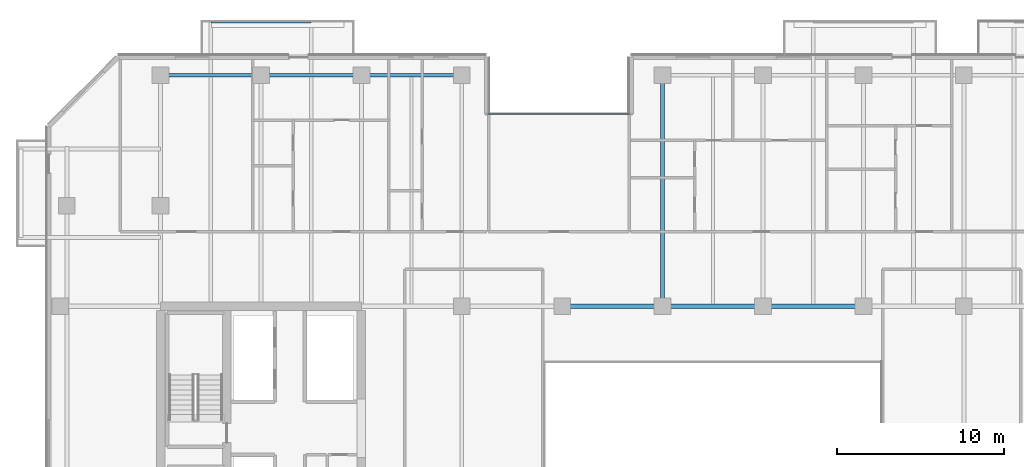
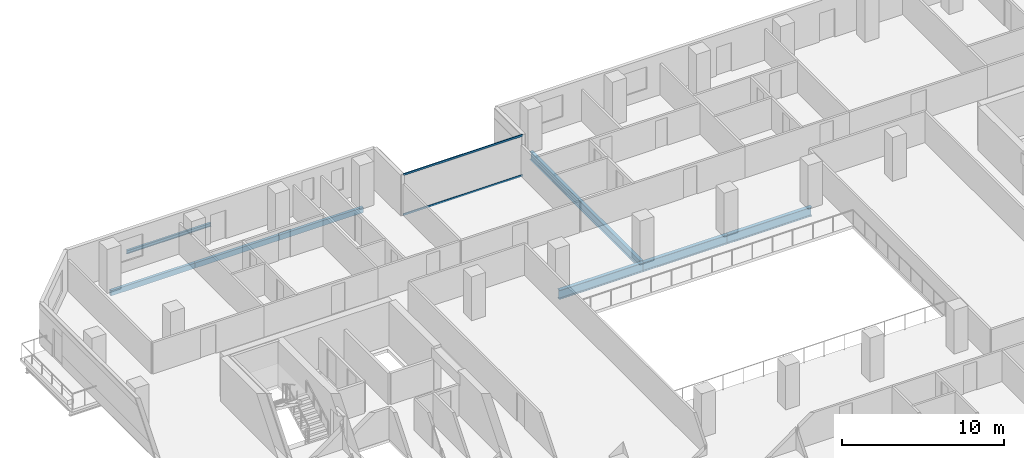
# One storey, part 7 of 23: 8 beams, 2 members, 1 element without a shape of its own.
"""IFC4 building model written with IfcOpenShell, lengths in metres."""

from ifc_helpers import new_model, si_unit, direction, frame, origin, origin_2d, place, context, subcontext, project, spatial, hollow_rectangle, i_section, extrude, material, layer, layer_set, material_profile, profile_set, type_object, element, aggregate, save


model = new_model("IFC4")

# Units and contexts
model_context = context("Model", 3, precision=1e-05, world=origin(), true_north=direction((0.0, 1.0)))
body_context = subcontext(model_context, "Body", "Model", "MODEL_VIEW")
ifc_project = project(units=[si_unit("LENGTHUNIT", "METRE"), si_unit("AREAUNIT", "SQUARE_METRE"), si_unit("VOLUMEUNIT", "CUBIC_METRE"), si_unit("PLANEANGLEUNIT", "RADIAN"), si_unit("MASSUNIT", "GRAM", prefix="KILO")], contexts=[model_context])

# Site, building, storey
site_placement = place(None, origin())
site = spatial("IfcSite", under=ifc_project, at=site_placement, CompositionType="ELEMENT")
building_placement = place(site_placement, origin())
building = spatial("IfcBuilding", under=site, at=building_placement, Name="Tanjung Sevakor Pilgrim Tower", CompositionType="ELEMENT")
storey_placement = place(building_placement, frame((0.0, 0.0, 82.169921875)))
storey = spatial("IfcBuildingStorey", under=building, at=storey_placement, Name="L22", CompositionType="ELEMENT", Elevation=82.169921875)

# Beams
ifc_material_1 = material(Name="Steel S355J2", Category="steel")
ifc_material_profile_1 = material_profile(ifc_material_1, i_section(OverallWidth=0.25439453125, OverallDepth=0.6875, WebThickness=0.01318359375, FlangeThickness=0.02099609375, FilletRadius=0.01513671875, at=origin_2d()))
ifc_profile_set_1 = profile_set([ifc_material_profile_1], Name="Steel S355J2")
beam_type_1 = type_object("IfcBeamType", Name="BM-B-G2-UB_686x254x152", PredefinedType="BEAM", material=ifc_profile_set_1)
for number, where, z_axis, x_axis, name in (
    (1, (48.0, 42.60009765625, -0.563720703125), (1.0, 0.0, 0.0), (0.0, 1.0, 0.0), "L22 Primary Floor Girder MAIN Y426-04"),
    (2, (54.0, 42.60009765625, -0.563720703125), (1.0, 0.0, 0.0), (0.0, 1.0, 0.0), "L22 Primary Floor Girder MAIN Y426-05"),
    (3, (60.0, 42.60009765625, -0.563720703125), (1.0, 0.0, 0.0), (0.0, 1.0, 0.0), "L22 Primary Floor Girder MAIN Y426-06"),
):
    element("IfcBeam", number, at=place(storey_placement, frame(where, z_axis=z_axis, x_axis=x_axis)), inside=storey, type_object=beam_type_1, Name=name, PredefinedType="BEAM", context=body_context, shape_type="SweptSolid", body=[
        extrude(i_section(OverallWidth=0.25439453125, OverallDepth=0.6875, WebThickness=0.01318359375, FlangeThickness=0.02099609375, FilletRadius=0.01513671875, at=origin_2d()), origin(), (0.0, 0.0, 1.0), 6.0),
    ])
ifc_material_2 = material(Name="Steel S355J2", Category="steel")
ifc_material_profile_2 = material_profile(ifc_material_2, i_section(OverallWidth=0.230224609375, OverallDepth=0.6171875, WebThickness=0.01318359375, FlangeThickness=0.022216796875, FilletRadius=0.0126953125, at=origin_2d()))
ifc_profile_set_2 = profile_set([ifc_material_profile_2], Name="Steel S355J2")
beam_type_2 = type_object("IfcBeamType", Name="BM-B-G3-UB_610x229x140", PredefinedType="BEAM", material=ifc_profile_set_2)
beam_1_placement = place(storey_placement, frame((54.0, 42.60009765625, -0.528564453125), z_axis=(0.0, 1.0, 0.0), x_axis=(-1.0, 0.0, 0.0)))
element("IfcBeam", 4, at=beam_1_placement, inside=storey, type_object=beam_type_2, Name="L22 MAIN Girder 013", PredefinedType="BEAM", context=body_context, shape_type="SweptSolid", body=[
    extrude(i_section(OverallWidth=0.230224609375, OverallDepth=0.6171875, WebThickness=0.01318359375, FlangeThickness=0.022216796875, FilletRadius=0.0126953125, at=origin_2d()), origin(), (0.0, 0.0, 1.0), 13.7998046875),
])
ifc_material_3 = material(Name="Steel S355J2", Category="steel")
ifc_material_profile_3 = material_profile(ifc_material_3, i_section(OverallWidth=0.146484375, OverallDepth=0.256103515625, WebThickness=0.00634765625, FlangeThickness=0.010986328125, FilletRadius=0.007568359375, at=origin_2d()))
ifc_profile_set_3 = profile_set([ifc_material_profile_3], Name="Steel S355J2")
beam_type_3 = type_object("IfcBeamType", Name="BM-B-J6-UB_254x146x37", PredefinedType="JOIST", material=ifc_profile_set_3)
beam_2_placement = place(storey_placement, frame((27.0, 59.580078125, -0.327880859375), z_axis=(1.0, 0.0, 0.0), x_axis=(0.0, 1.0, 0.0)))
element("IfcBeam", 5, at=beam_2_placement, inside=storey, type_object=beam_type_3, Name="L22 Balcony Rim Tie MAIN-N1", PredefinedType="JOIST", context=body_context, shape_type="SweptSolid", body=[
    extrude(i_section(OverallWidth=0.146484375, OverallDepth=0.256103515625, WebThickness=0.00634765625, FlangeThickness=0.010986328125, FilletRadius=0.007568359375, at=origin_2d()), origin(), (0.0, 0.0, 1.0), 6.0),
])
ifc_material_4 = material(Name="Steel S355J2", Category="steel")
ifc_material_profile_4 = material_profile(ifc_material_4, hollow_rectangle(XDim=0.199951171875, YDim=0.39990234375, WallThickness=0.01611328125, at=origin_2d()))
ifc_profile_set_4 = profile_set([ifc_material_profile_4], Name="Steel S355J2")
beam_type_4 = type_object("IfcBeamType", Name="BM-B-SP2-RHS_400x200x16", PredefinedType="SPANDREL", material=ifc_profile_set_4)
for number, where, z_axis, x_axis, name in (
    (6, (24.0, 56.39990234375, -0.419921875), (1.0, 0.0, 0.0), (0.0, 1.0, 0.0), "L22 Spandrel MAIN N-02"),
    (7, (30.0, 56.39990234375, -0.419921875), (1.0, 0.0, 0.0), (0.0, 1.0, 0.0), "L22 Spandrel MAIN N-04"),
    (8, (36.0, 56.39990234375, -0.419921875), (1.0, 0.0, 0.0), (0.0, 1.0, 0.0), "L22 Spandrel MAIN N-06"),
):
    element("IfcBeam", number, at=place(storey_placement, frame(where, z_axis=z_axis, x_axis=x_axis)), inside=storey, type_object=beam_type_4, Name=name, PredefinedType="SPANDREL", context=body_context, shape_type="SweptSolid", body=[
        extrude(hollow_rectangle(XDim=0.199951171875, YDim=0.39990234375, WallThickness=0.01611328125, at=origin_2d()), origin(), (0.0, 0.0, 1.0), 6.0),
    ])

# Curtain wall, members
ifc_material_5 = material(Name="Aluminium 6063-T6 and Low-E Glass", Category="aluminium")
ifc_layer = layer(ifc_material_5, 0.179931640625)
ifc_layer_set = layer_set([ifc_layer], Name="CW-SYS-CLEFT")
curtain_wall_type = type_object("IfcCurtainWallType", Name="CW-SYS-CLEFT", PredefinedType="NOTDEFINED", material=ifc_layer_set)
curtain_wall_placement = place(storey_placement, origin())
curtain_wall = element("IfcCurtainWall", 9, at=curtain_wall_placement, inside=storey, type_object=curtain_wall_type, Name="L22 Curtain Wall CW-CLF-L22-10", PredefinedType="NOTDEFINED")
ifc_material_6 = material(Name="Aluminium 6063-T6", Category="aluminium")
ifc_material_profile_5 = material_profile(ifc_material_6, hollow_rectangle(XDim=0.06494140625, YDim=0.139892578125, WallThickness=0.00390625, at=origin_2d()))
ifc_profile_set_5 = profile_set([ifc_material_profile_5], Name="Aluminium 6063-T6")
member_type = type_object("IfcMemberType", Name="TYPE-CWT-1", PredefinedType="USERDEFINED", material=ifc_profile_set_5)
member_1_placement = place(storey_placement, frame((52.050048828125, 54.074951171875, 0.032470703125), z_axis=(-1.0, 0.0, 0.0), x_axis=(0.0, -1.0, 0.0)))
member_1 = element("IfcMember", 10, at=member_1_placement, type_object=member_type, Name="CW-CLF transom 1.1", ObjectType="TRANSOM", PredefinedType="USERDEFINED", context=body_context, shape_type="SweptSolid", body=[
    extrude(hollow_rectangle(XDim=0.06494140625, YDim=0.139892578125, WallThickness=0.00390625, at=origin_2d()), origin(), (0.0, 0.0, 1.0), 8.5),
])
member_2_placement = place(storey_placement, frame((52.050048828125, 54.074951171875, 3.047607421875), z_axis=(-1.0, 0.0, 0.0), x_axis=(0.0, -1.0, 0.0)))
member_2 = element("IfcMember", 11, at=member_2_placement, type_object=member_type, Name="CW-CLF transom 1.2", ObjectType="TRANSOM", PredefinedType="USERDEFINED", context=body_context, shape_type="SweptSolid", body=[
    extrude(hollow_rectangle(XDim=0.06494140625, YDim=0.139892578125, WallThickness=0.00390625, at=origin_2d()), origin(), (0.0, 0.0, 1.0), 8.5),
])
aggregate(curtain_wall, [member_1, member_2])

save(model, "model.ifc")
